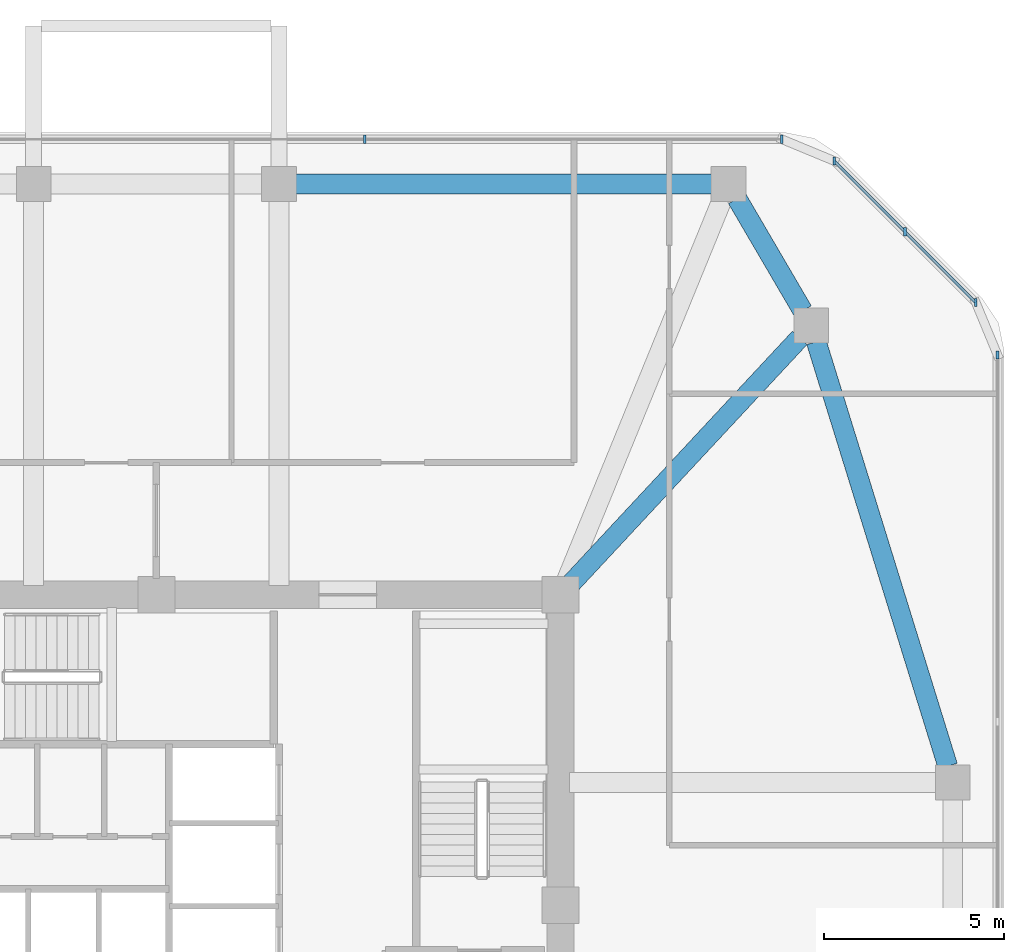
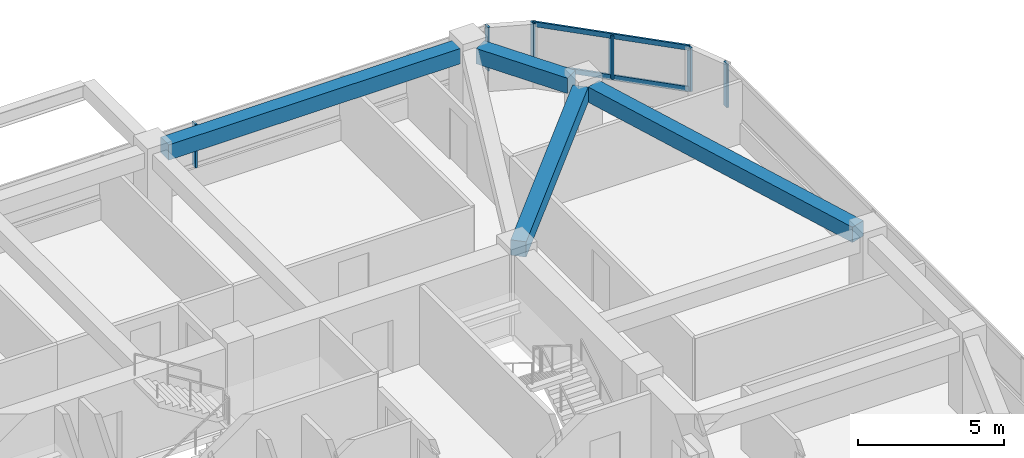
# One storey, part 5 of 12: 8 members, 4 beams, 3 elements without a shape of their own.
"""IFC4 building model written with IfcOpenShell, lengths in metres."""

from ifc_helpers import new_model, si_unit, derived_unit, direction, frame, origin, origin_2d, place, context, subcontext, project, spatial, rectangle, extrude, material, material_profile, profile_set, type_object, element, aggregate, save


model = new_model("IFC4")

# Units and contexts
model_context = context("Model", 3, precision=1e-05, world=origin(), true_north=direction((0.0, 1.0)))
body_context = subcontext(model_context, "Body", "Model", "MODEL_VIEW")
ifc_project = project(units=[si_unit("LENGTHUNIT", "METRE"), si_unit("AREAUNIT", "SQUARE_METRE"), si_unit("VOLUMEUNIT", "CUBIC_METRE"), si_unit("PLANEANGLEUNIT", "RADIAN"), si_unit("MASSUNIT", "GRAM", prefix="KILO"), derived_unit("THERMALTRANSMITTANCEUNIT", [(si_unit("POWERUNIT", "WATT"), 1), (si_unit("LENGTHUNIT", "METRE"), -2), (si_unit("THERMODYNAMICTEMPERATUREUNIT", "KELVIN"), -1)])], contexts=[model_context])

# Site, building, storey
site_placement = place(None, origin())
site = spatial("IfcSite", under=ifc_project, at=site_placement, CompositionType="ELEMENT")
building_placement = place(site_placement, origin())
building = spatial("IfcBuilding", under=site, at=building_placement, Name="Koralith Skygarden Medical Center", CompositionType="ELEMENT")
storey_placement = place(building_placement, frame((0.0, 0.0, 149.219970703125)))
storey = spatial("IfcBuildingStorey", under=building, at=storey_placement, Name="L38", CompositionType="ELEMENT", Elevation=149.219970703125)

# Curtain wall, member
ifc_material_1 = material(Name="Clear Laminated Glass", Category="glass")
curtain_wall_type = type_object("IfcCurtainWallType", Name="CW-4 Zone 3 Waist High-Wind Curtain Wall", PredefinedType="NOTDEFINED", material=ifc_material_1)
curtain_wall_1_placement = place(storey_placement, origin())
curtain_wall_1 = element("IfcCurtainWall", 1, at=curtain_wall_1_placement, inside=storey, type_object=curtain_wall_type, Name="Curtain Wall CW-L38-E", PredefinedType="NOTDEFINED")
ifc_material_2 = material(Name="Aluminium 6063-T6", Category="aluminium")
ifc_material_profile_1 = material_profile(ifc_material_2, rectangle(XDim=0.076904296875, YDim=0.22998046875, at=origin_2d()), Name="MUL77X230")
ifc_profile_set_1 = profile_set([ifc_material_profile_1], Name="Aluminium 6063-T6")
member_type_1 = type_object("IfcMemberType", Name="CW-4 Extruded Mullion 77x230", PredefinedType="MULLION", material=ifc_profile_set_1)
member_1_placement = place(storey_placement, frame((60.303955078125, 41.14501953125, 0.85009765625), z_axis=(0.0, 0.0, 1.0), x_axis=(1.0, 0.0, 0.0)))
member_1 = element("IfcMember", 2, at=member_1_placement, type_object=member_type_1, Name="CW-L38-E Mullion 4", PredefinedType="MULLION", context=body_context, shape_type="SweptSolid", body=[
    extrude(rectangle(XDim=0.076904296875, YDim=0.22998046875, at=origin_2d()), origin(), (0.0, 0.0, 1.0), 1.81982421875),
])
aggregate(curtain_wall_1, [member_1])

# Curtain wall, members
curtain_wall_2_placement = place(storey_placement, origin())
curtain_wall_2 = element("IfcCurtainWall", 3, at=curtain_wall_2_placement, inside=storey, type_object=curtain_wall_type, Name="Curtain Wall CW-L38-NE", PredefinedType="NOTDEFINED")
member_2_placement = place(storey_placement, frame((59.702880859375, 42.595947265625, 0.85009765625), z_axis=(0.0, 0.0, 1.0), x_axis=(1.0, 0.0, 0.0)))
member_2 = element("IfcMember", 4, at=member_2_placement, type_object=member_type_1, Name="CW-L38-NE Mullion 1", PredefinedType="MULLION", context=body_context, shape_type="SweptSolid", body=[
    extrude(rectangle(XDim=0.076904296875, YDim=0.22998046875, at=origin_2d()), origin(), (0.0, 0.0, 1.0), 1.81982421875),
])
member_3_placement = place(storey_placement, frame((57.741943359375, 44.556884765625, 0.85009765625), z_axis=(0.0, 0.0, 1.0), x_axis=(1.0, 0.0, 0.0)))
member_3 = element("IfcMember", 5, at=member_3_placement, type_object=member_type_1, Name="CW-L38-NE Mullion 2", PredefinedType="MULLION", context=body_context, shape_type="SweptSolid", body=[
    extrude(rectangle(XDim=0.076904296875, YDim=0.22998046875, at=origin_2d()), origin(), (0.0, 0.0, 1.0), 1.81982421875),
])
member_4_placement = place(storey_placement, frame((55.780029296875, 46.51904296875, 0.85009765625), z_axis=(0.0, 0.0, 1.0), x_axis=(1.0, 0.0, 0.0)))
member_4 = element("IfcMember", 6, at=member_4_placement, type_object=member_type_1, Name="CW-L38-NE Mullion 3", PredefinedType="MULLION", context=body_context, shape_type="SweptSolid", body=[
    extrude(rectangle(XDim=0.076904296875, YDim=0.22998046875, at=origin_2d()), origin(), (0.0, 0.0, 1.0), 1.81982421875),
])

curtain_wall_3_placement = place(storey_placement, origin())
curtain_wall_3 = element("IfcCurtainWall", 7, at=curtain_wall_3_placement, inside=storey, type_object=curtain_wall_type, Name="Curtain Wall CW-L38-N", PredefinedType="NOTDEFINED")
member_5_placement = place(storey_placement, frame((54.3291015625, 47.1201171875, 0.85009765625), z_axis=(0.0, 0.0, 1.0), x_axis=(1.0, 0.0, 0.0)))
member_5 = element("IfcMember", 8, at=member_5_placement, type_object=member_type_1, Name="CW-L38-N Mullion 1", PredefinedType="MULLION", context=body_context, shape_type="SweptSolid", body=[
    extrude(rectangle(XDim=0.076904296875, YDim=0.22998046875, at=origin_2d()), origin(), (0.0, 0.0, 1.0), 1.81982421875),
])
member_6_placement = place(storey_placement, frame((42.77587890625, 47.1201171875, 0.85009765625), z_axis=(0.0, 0.0, 1.0), x_axis=(1.0, 0.0, 0.0)))
member_6 = element("IfcMember", 9, at=member_6_placement, type_object=member_type_1, Name="CW-L38-N Mullion 2", PredefinedType="MULLION", context=body_context, shape_type="SweptSolid", body=[
    extrude(rectangle(XDim=0.076904296875, YDim=0.22998046875, at=origin_2d()), origin(), (0.0, 0.0, 1.0), 1.81982421875),
])
aggregate(curtain_wall_3, [member_5, member_6])

# Member
ifc_material_profile_2 = material_profile(ifc_material_2, rectangle(XDim=0.072021484375, YDim=0.20703125, at=origin_2d()), Name="TRN72X207")
ifc_profile_set_2 = profile_set([ifc_material_profile_2], Name="Aluminium 6063-T6")
member_type_2 = type_object("IfcMemberType", Name="CW-4 Thermal Transom 72x207", PredefinedType="USERDEFINED", material=ifc_profile_set_2)
member_7_placement = place(storey_placement, frame((59.702880859375, 42.595947265625, 0.900146484375), z_axis=(-0.707084777957, 0.707128783731, 0.0), x_axis=(-0.707128783731, -0.707084777957, 0.0)))
member_7 = element("IfcMember", 10, at=member_7_placement, type_object=member_type_2, Name="CW-L38-NE Transom 1", ObjectType="TRANSOM", PredefinedType="USERDEFINED", context=body_context, shape_type="SweptSolid", body=[
    extrude(rectangle(XDim=0.072021484375, YDim=0.20703125, at=origin_2d()), origin(), (0.0, 0.0, 1.0), 5.5478515625),
])

member_8_placement = place(storey_placement, frame((59.702880859375, 42.595947265625, 2.6201171875), z_axis=(-0.707084777957, 0.707128783731, 0.0), x_axis=(-0.707128783731, -0.707084777957, 0.0)))
member_8 = element("IfcMember", 11, at=member_8_placement, type_object=member_type_2, Name="CW-L38-NE Transom 2", ObjectType="TRANSOM", PredefinedType="USERDEFINED", context=body_context, shape_type="SweptSolid", body=[
    extrude(rectangle(XDim=0.072021484375, YDim=0.20703125, at=origin_2d()), origin(), (0.0, 0.0, 1.0), 5.5478515625),
])

aggregate(curtain_wall_2, [member_2, member_3, member_4, member_7, member_8])

# Beams
ifc_material_3 = material(Name="Concrete C45/55", Category="concrete")
ifc_material_profile_3 = material_profile(ifc_material_3, rectangle(XDim=0.550048828125, YDim=0.639892578125, at=origin_2d()), Name="RCB550X640")
ifc_profile_set_3 = profile_set([ifc_material_profile_3], Name="Concrete C45/55")
beam_type_1 = type_object("IfcBeamType", Name="Radial Collector Beam RCB550X640", PredefinedType="BEAM", material=ifc_profile_set_3)
beam_1_placement = place(storey_placement, frame((48.3701171875, 34.68310546875, 3.0), z_axis=(0.681369011591, 0.731940072713, 0.0), x_axis=(-0.731940072713, 0.681369011591, 0.0)))
element("IfcBeam", 12, at=beam_1_placement, inside=storey, type_object=beam_type_1, Name="L38 Radial Collector Beam RB-10", PredefinedType="BEAM", context=body_context, shape_type="SweptSolid", body=[
    extrude(rectangle(XDim=0.550048828125, YDim=0.639892578125, at=origin_2d()), origin(), (0.0, 0.0, 1.0), 9.471923828125),
])
ifc_material_profile_4 = material_profile(ifc_material_3, rectangle(XDim=0.550048828125, YDim=0.639892578125, at=origin_2d()), Name="RCB550X640")
ifc_profile_set_4 = profile_set([ifc_material_profile_4], Name="Concrete C45/55")
beam_type_2 = type_object("IfcBeamType", Name="Zone 2-3 Spandrel Beam RCB550X640", PredefinedType="SPANDREL", material=ifc_profile_set_4)
beam_2_placement = place(storey_placement, frame((58.925048828125, 29.7490234375, 3.0), z_axis=(-0.295793585147, 0.955251880389, 0.0), x_axis=(-0.955251880389, -0.295793585147, 0.0)))
element("IfcBeam", 13, at=beam_2_placement, inside=storey, type_object=beam_type_2, Name="L38 Perimeter Spandrel Beam SP-09", PredefinedType="SPANDREL", context=body_context, shape_type="SweptSolid", body=[
    extrude(rectangle(XDim=0.550048828125, YDim=0.639892578125, at=origin_2d()), origin(), (0.0, 0.0, 1.0), 12.31298828125),
])
beam_3_placement = place(storey_placement, frame((54.906982421875, 42.365966796875, 3.0), z_axis=(-0.504861391295, 0.863200426077, 0.0), x_axis=(-0.863200426077, -0.504861391295, 0.0)))
element("IfcBeam", 14, at=beam_3_placement, inside=storey, type_object=beam_type_2, Name="L38 Perimeter Spandrel Beam SP-10", PredefinedType="SPANDREL", context=body_context, shape_type="SweptSolid", body=[
    extrude(rectangle(XDim=0.550048828125, YDim=0.639892578125, at=origin_2d()), origin(), (0.0, 0.0, 1.0), 3.600830078125),
])
beam_4_placement = place(storey_placement, frame((52.382080078125, 45.8798828125, 3.0), z_axis=(-1.0, 0.0, 0.0), x_axis=(0.0, -1.0, 0.0)))
element("IfcBeam", 15, at=beam_4_placement, inside=storey, type_object=beam_type_2, Name="L38 Perimeter Spandrel Beam SP-11", PredefinedType="SPANDREL", context=body_context, shape_type="SweptSolid", body=[
    extrude(rectangle(XDim=0.550048828125, YDim=0.639892578125, at=origin_2d()), origin(), (0.0, 0.0, 1.0), 11.511962890625),
])

save(model, "model.ifc")
